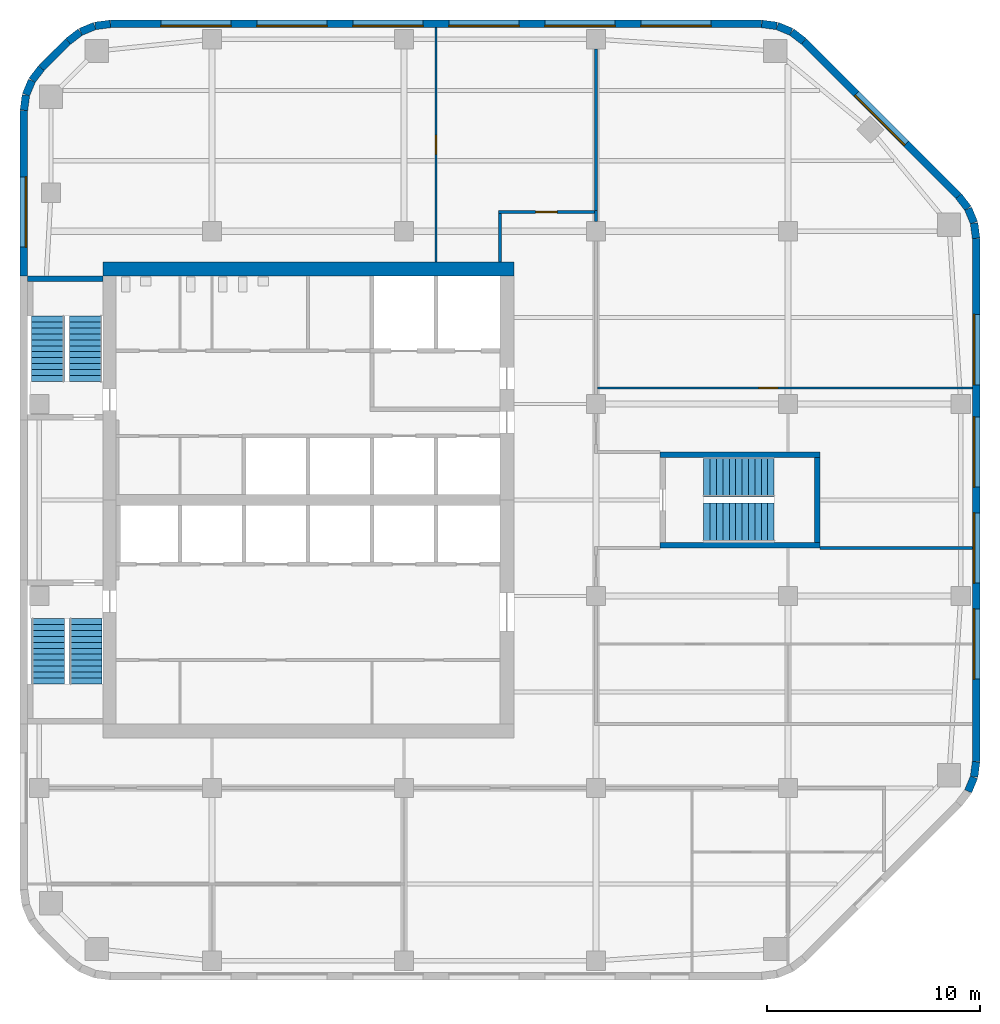
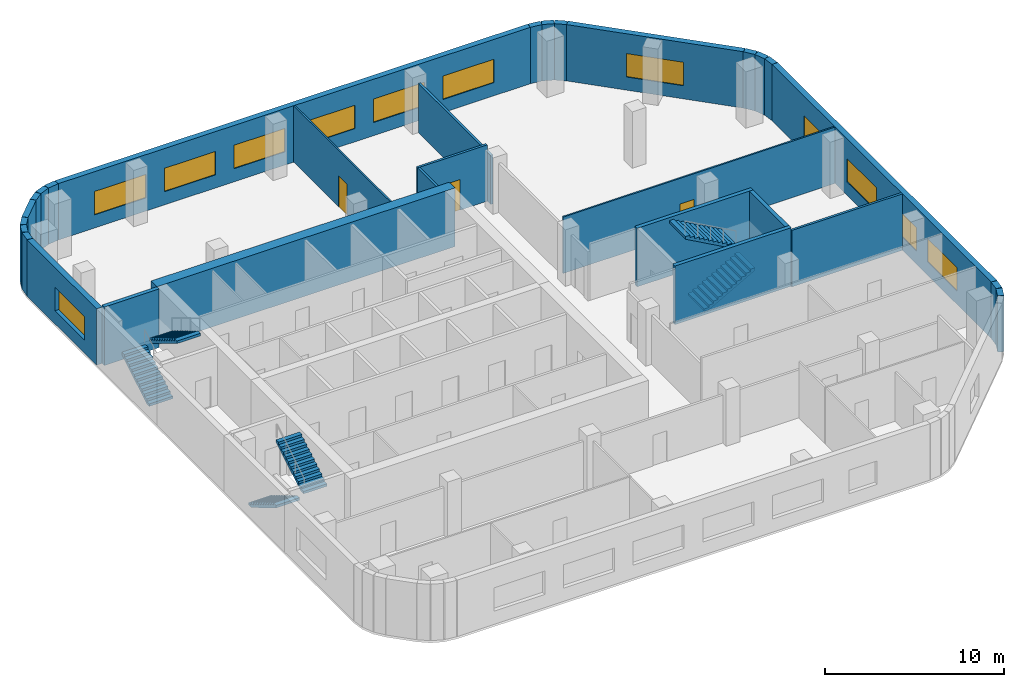
# One storey, part 5 of 7: 31 walls, 12 windows, 6 stair flights, 3 doors, 15 openings, 3 elements without a shape of their own.
"""IFC4 building model written with IfcOpenShell, lengths in metres."""

from ifc_helpers import new_model, si_unit, direction, frame, frame_2d, origin, place, context, subcontext, project, spatial, polyline, rectangle, outline, extrude, material, layer, layer_set, type_object, element, fill, aggregate, save


model = new_model("IFC4")

# Units and contexts
model_context = context("Model", 3, precision=1e-05, world=origin(), true_north=direction((0.0, 1.0)))
body_context = subcontext(model_context, "Body", "Model", "MODEL_VIEW")
ifc_project = project(units=[si_unit("LENGTHUNIT", "METRE"), si_unit("AREAUNIT", "SQUARE_METRE"), si_unit("VOLUMEUNIT", "CUBIC_METRE"), si_unit("PLANEANGLEUNIT", "RADIAN"), si_unit("MASSUNIT", "GRAM", prefix="KILO")], contexts=[model_context])

# Site, building, storey
site_placement = place(None, origin())
site = spatial("IfcSite", under=ifc_project, at=site_placement, CompositionType="ELEMENT")
building_placement = place(site_placement, origin())
building = spatial("IfcBuilding", under=site, at=building_placement, Name="Cinnabar Reach Civic Tower", CompositionType="ELEMENT")
storey_placement = place(building_placement, frame((0.0, 0.0, 169.0)))
storey = spatial("IfcBuildingStorey", under=building, at=storey_placement, Name="L40", CompositionType="ELEMENT", Elevation=169.0)

# Walls
ifc_material_1 = material(Name="Facing brick with insulated backing", Category="masonry")
ifc_layer_1 = layer(ifc_material_1, 0.36)
ifc_layer_set_1 = layer_set([ifc_layer_1], Name="Brick corner wall")
wall_type_1 = type_object("IfcWallType", Name="Brick corner wall", PredefinedType="STANDARD", material=ifc_layer_set_1)
for number, where, z_axis, x_axis, name in (
    (1, (44.4452, 17.8439, 0.0), (0.0, 0.0, 1.0), (0.382702709855, 0.923871547278, 0.0), "Brick corner wall"),
    (2, (44.7239, 18.5244, 0.0), (0.0, 0.0, 1.0), (0.13055608231, 0.99144092581, 0.0), "Brick corner wall"),
    (3, (44.817, 43.7686, 0.0), (0.0, 0.0, 1.0), (-0.13055608231, 0.99144092581, 0.0), "Brick corner wall"),
    (4, (44.7181, 44.4973, 0.0), (0.0, 0.0, 1.0), (-0.382702709855, 0.923871547278, 0.0), "Brick corner wall"),
):
    element("IfcWall", number, at=place(storey_placement, frame(where, z_axis=z_axis, x_axis=x_axis)), inside=storey, type_object=wall_type_1, Name=name, PredefinedType="STANDARD", context=body_context, shape_type="SweptSolid", body=[
        extrude(rectangle(XDim=0.7131, YDim=0.36, at=frame_2d((0.3565, 0.0))), origin(), (0.0, 0.0, 1.0), 3.85),
    ])
for number, where, z_axis, x_axis, name in (
    (5, (44.434, 45.1755, 0.0), (0.0, 0.0, 1.0), (-0.608802368033, 0.793321924995, 0.0), "Brick corner wall"),
    (6, (36.7413, 52.9998, 0.0), (0.0, 0.0, 1.0), (-0.793321924995, 0.608802368033, 0.0), "Brick corner wall"),
):
    element("IfcWall", number, at=place(storey_placement, frame(where, z_axis=z_axis, x_axis=x_axis)), inside=storey, type_object=wall_type_1, Name=name, PredefinedType="STANDARD", context=body_context, shape_type="SweptSolid", body=[
        extrude(rectangle(XDim=0.7132, YDim=0.36, at=frame_2d((0.3566, 0.0))), origin(), (0.0, 0.0, 1.0), 3.85),
    ])
for number, where, z_axis, x_axis, name in (
    (7, (36.1561, 53.4452, 0.0), (0.0, 0.0, 1.0), (-0.923871547278, 0.382702709855, 0.0), "Brick corner wall"),
    (8, (35.4756, 53.7239, 0.0), (0.0, 0.0, 1.0), (-0.99144092581, 0.13055608231, 0.0), "Brick corner wall"),
    (9, (4.2314, 53.817, 0.0), (0.0, 0.0, 1.0), (-0.99144092581, -0.13055608231, 0.0), "Brick corner wall"),
    (10, (3.5027, 53.7181, 0.0), (0.0, 0.0, 1.0), (-0.923871547278, -0.382702709855, 0.0), "Brick corner wall"),
):
    element("IfcWall", number, at=place(storey_placement, frame(where, z_axis=z_axis, x_axis=x_axis)), inside=storey, type_object=wall_type_1, Name=name, PredefinedType="STANDARD", context=body_context, shape_type="SweptSolid", body=[
        extrude(rectangle(XDim=0.7131, YDim=0.36, at=frame_2d((0.3565, 0.0))), origin(), (0.0, 0.0, 1.0), 3.85),
    ])
for number, where, z_axis, x_axis, name in (
    (11, (2.8245, 53.434, 0.0), (0.0, 0.0, 1.0), (-0.793321924995, -0.608802368033, 0.0), "Brick corner wall"),
    (12, (1.0002, 51.7413, 0.0), (0.0, 0.0, 1.0), (-0.608802368033, -0.793321924995, 0.0), "Brick corner wall"),
):
    element("IfcWall", number, at=place(storey_placement, frame(where, z_axis=z_axis, x_axis=x_axis)), inside=storey, type_object=wall_type_1, Name=name, PredefinedType="STANDARD", context=body_context, shape_type="SweptSolid", body=[
        extrude(rectangle(XDim=0.7132, YDim=0.36, at=frame_2d((0.3566, 0.0))), origin(), (0.0, 0.0, 1.0), 3.85),
    ])
for number, where, z_axis, x_axis, name in (
    (13, (0.5548, 51.1561, 0.0), (0.0, 0.0, 1.0), (-0.382702709855, -0.923871547278, 0.0), "Brick corner wall"),
    (14, (0.2761, 50.4756, 0.0), (0.0, 0.0, 1.0), (-0.13055608231, -0.99144092581, 0.0), "Brick corner wall"),
):
    element("IfcWall", number, at=place(storey_placement, frame(where, z_axis=z_axis, x_axis=x_axis)), inside=storey, type_object=wall_type_1, Name=name, PredefinedType="STANDARD", context=body_context, shape_type="SweptSolid", body=[
        extrude(rectangle(XDim=0.7131, YDim=0.36, at=frame_2d((0.3565, 0.0))), origin(), (0.0, 0.0, 1.0), 3.85),
    ])

# Wall, openings, windows
ifc_layer_2 = layer(ifc_material_1, 0.36)
ifc_layer_set_2 = layer_set([ifc_layer_2], Name="Brick pier and spandrel wall")
wall_type_2 = type_object("IfcWallType", Name="Brick pier and spandrel wall", PredefinedType="STANDARD", material=ifc_layer_set_2)
wall_1_placement = place(storey_placement, frame((44.82, 19.2426, 0.0), z_axis=(0.0, 0.0, 1.0), x_axis=(0.0, 1.0, 0.0)))
wall_1 = element("IfcWall", 15, at=wall_1_placement, inside=storey, type_object=wall_type_2, Name="Brick facade wall", PredefinedType="STANDARD", context=body_context, shape_type="SweptSolid", body=[
    extrude(rectangle(XDim=24.5148, YDim=0.36, at=frame_2d((12.2574, 0.0))), origin(), (0.0, 0.0, 1.0), 3.85),
])
opening_1_placement = place(wall_1_placement, frame((3.8574, 0.0, 0.9)))
opening_1 = element("IfcOpeningElement", 16, at=opening_1_placement, cuts=wall_1, Name="Opening W1828", PredefinedType="OPENING", context=body_context, shape_type="SweptSolid", body=[
    extrude(rectangle(XDim=3.3, YDim=1.6, at=frame_2d((1.65, 0.8))), frame((0.0, 0.19, 0.0), z_axis=(0.0, -1.0, 0.0), x_axis=(1.0, 0.0, 0.0)), (0.0, 0.0, 1.0), 0.38),
])
opening_2_placement = place(wall_1_placement, frame((8.3574, 0.0, 0.9)))
opening_2 = element("IfcOpeningElement", 17, at=opening_2_placement, cuts=wall_1, Name="Opening W1829", PredefinedType="OPENING", context=body_context, shape_type="SweptSolid", body=[
    extrude(rectangle(XDim=3.3, YDim=1.6, at=frame_2d((1.65, 0.8))), frame((0.0, 0.19, 0.0), z_axis=(0.0, -1.0, 0.0), x_axis=(1.0, 0.0, 0.0)), (0.0, 0.0, 1.0), 0.38),
])
opening_3_placement = place(wall_1_placement, frame((12.8574, 0.0, 0.9)))
opening_3 = element("IfcOpeningElement", 18, at=opening_3_placement, cuts=wall_1, Name="Opening W1830", PredefinedType="OPENING", context=body_context, shape_type="SweptSolid", body=[
    extrude(rectangle(XDim=3.3, YDim=1.6, at=frame_2d((1.65, 0.8))), frame((0.0, 0.19, 0.0), z_axis=(0.0, -1.0, 0.0), x_axis=(1.0, 0.0, 0.0)), (0.0, 0.0, 1.0), 0.38),
])
opening_4_placement = place(wall_1_placement, frame((17.6574, 0.0, 0.9)))
opening_4 = element("IfcOpeningElement", 19, at=opening_4_placement, cuts=wall_1, Name="Opening W1831", PredefinedType="OPENING", context=body_context, shape_type="SweptSolid", body=[
    extrude(rectangle(XDim=3.3, YDim=1.6, at=frame_2d((1.65, 0.8))), frame((0.0, 0.19, 0.0), z_axis=(0.0, -1.0, 0.0), x_axis=(1.0, 0.0, 0.0)), (0.0, 0.0, 1.0), 0.38),
])
ifc_material_2 = material(Name="Clear double glazing in aluminium frame", Category="aluminium")
window_type = type_object("IfcWindowType", Name="Deep-set window A", PartitioningType="SINGLE_PANEL", PredefinedType="WINDOW", material=ifc_material_2)
window_1_placement = place(opening_1_placement, origin())
window_1 = element("IfcWindow", 20, at=window_1_placement, inside=storey, type_object=window_type, Name="Window east face", OverallHeight=1.6, OverallWidth=3.3, PartitioningType="SINGLE_PANEL", PredefinedType="WINDOW", context=body_context, shape_type="SweptSolid", body=[
    extrude(rectangle(XDim=3.3, YDim=1.6, at=frame_2d((1.65, 0.8))), frame((0.0, 0.13, 0.0), z_axis=(0.0, -1.0, 0.0), x_axis=(1.0, 0.0, 0.0)), (0.0, 0.0, 1.0), 0.06),
])
fill(opening_1, window_1)
window_2_placement = place(opening_2_placement, origin())
window_2 = element("IfcWindow", 21, at=window_2_placement, inside=storey, type_object=window_type, Name="Window east face", OverallHeight=1.6, OverallWidth=3.3, PartitioningType="SINGLE_PANEL", PredefinedType="WINDOW", context=body_context, shape_type="SweptSolid", body=[
    extrude(rectangle(XDim=3.3, YDim=1.6, at=frame_2d((1.65, 0.8))), frame((0.0, 0.13, 0.0), z_axis=(0.0, -1.0, 0.0), x_axis=(1.0, 0.0, 0.0)), (0.0, 0.0, 1.0), 0.06),
])
fill(opening_2, window_2)
window_3_placement = place(opening_3_placement, origin())
window_3 = element("IfcWindow", 22, at=window_3_placement, inside=storey, type_object=window_type, Name="Window east face", OverallHeight=1.6, OverallWidth=3.3, PartitioningType="SINGLE_PANEL", PredefinedType="WINDOW", context=body_context, shape_type="SweptSolid", body=[
    extrude(rectangle(XDim=3.3, YDim=1.6, at=frame_2d((1.65, 0.8))), frame((0.0, 0.13, 0.0), z_axis=(0.0, -1.0, 0.0), x_axis=(1.0, 0.0, 0.0)), (0.0, 0.0, 1.0), 0.06),
])
fill(opening_3, window_3)
window_4_placement = place(opening_4_placement, origin())
window_4 = element("IfcWindow", 23, at=window_4_placement, inside=storey, type_object=window_type, Name="Window east face", OverallHeight=1.6, OverallWidth=3.3, PartitioningType="SINGLE_PANEL", PredefinedType="WINDOW", context=body_context, shape_type="SweptSolid", body=[
    extrude(rectangle(XDim=3.3, YDim=1.6, at=frame_2d((1.65, 0.8))), frame((0.0, 0.13, 0.0), z_axis=(0.0, -1.0, 0.0), x_axis=(1.0, 0.0, 0.0)), (0.0, 0.0, 1.0), 0.06),
])
fill(opening_4, window_4)

# Wall, opening, window
wall_2_placement = place(storey_placement, frame((43.994, 45.7514, 0.0), z_axis=(0.0, 0.0, 1.0), x_axis=(-0.707106781187, 0.707106781187, 0.0)))
wall_2 = element("IfcWall", 24, at=wall_2_placement, inside=storey, type_object=wall_type_2, Name="Brick facade wall", PredefinedType="STANDARD", context=body_context, shape_type="SweptSolid", body=[
    extrude(rectangle(XDim=10.2426, YDim=0.36, at=frame_2d((5.1213, 0.0))), origin(), (0.0, 0.0, 1.0), 3.85),
])
opening_5_placement = place(wall_2_placement, frame((3.4713, 0.0, 0.9)))
opening_5 = element("IfcOpeningElement", 25, at=opening_5_placement, cuts=wall_2, Name="Opening W1832", PredefinedType="OPENING", context=body_context, shape_type="SweptSolid", body=[
    extrude(rectangle(XDim=3.3, YDim=1.6, at=frame_2d((1.65, 0.8))), frame((0.0, 0.19, 0.0), z_axis=(0.0, -1.0, 0.0), x_axis=(1.0, 0.0, 0.0)), (0.0, 0.0, 1.0), 0.38),
])
window_5_placement = place(opening_5_placement, origin())
window_5 = element("IfcWindow", 26, at=window_5_placement, inside=storey, type_object=window_type, Name="Window northeast face", OverallHeight=1.6, OverallWidth=3.3, PartitioningType="SINGLE_PANEL", PredefinedType="WINDOW", context=body_context, shape_type="SweptSolid", body=[
    extrude(rectangle(XDim=3.3, YDim=1.6, at=frame_2d((1.65, 0.8))), frame((0.0, 0.13, 0.0), z_axis=(0.0, -1.0, 0.0), x_axis=(1.0, 0.0, 0.0)), (0.0, 0.0, 1.0), 0.06),
])
fill(opening_5, window_5)

# Wall, openings, windows
wall_3_placement = place(storey_placement, frame((34.7574, 53.82, 0.0), z_axis=(0.0, 0.0, 1.0), x_axis=(-1.0, 0.0, 0.0)))
wall_3 = element("IfcWall", 27, at=wall_3_placement, inside=storey, type_object=wall_type_2, Name="Brick facade wall", PredefinedType="STANDARD", context=body_context, shape_type="SweptSolid", body=[
    extrude(rectangle(XDim=30.5148, YDim=0.36, at=frame_2d((15.2574, 0.0))), origin(), (0.0, 0.0, 1.0), 3.85),
])
opening_6_placement = place(wall_3_placement, frame((2.3574, 0.0, 0.9)))
opening_6 = element("IfcOpeningElement", 28, at=opening_6_placement, cuts=wall_3, Name="Opening W1833", PredefinedType="OPENING", context=body_context, shape_type="SweptSolid", body=[
    extrude(rectangle(XDim=3.3, YDim=1.6, at=frame_2d((1.65, 0.8))), frame((0.0, 0.19, 0.0), z_axis=(0.0, -1.0, 0.0), x_axis=(1.0, 0.0, 0.0)), (0.0, 0.0, 1.0), 0.38),
])
opening_7_placement = place(wall_3_placement, frame((6.8574, 0.0, 0.9)))
opening_7 = element("IfcOpeningElement", 29, at=opening_7_placement, cuts=wall_3, Name="Opening W1834", PredefinedType="OPENING", context=body_context, shape_type="SweptSolid", body=[
    extrude(rectangle(XDim=3.3, YDim=1.6, at=frame_2d((1.65, 0.8))), frame((0.0, 0.19, 0.0), z_axis=(0.0, -1.0, 0.0), x_axis=(1.0, 0.0, 0.0)), (0.0, 0.0, 1.0), 0.38),
])
opening_8_placement = place(wall_3_placement, frame((11.3574, 0.0, 0.9)))
opening_8 = element("IfcOpeningElement", 30, at=opening_8_placement, cuts=wall_3, Name="Opening W1835", PredefinedType="OPENING", context=body_context, shape_type="SweptSolid", body=[
    extrude(rectangle(XDim=3.3, YDim=1.6, at=frame_2d((1.65, 0.8))), frame((0.0, 0.19, 0.0), z_axis=(0.0, -1.0, 0.0), x_axis=(1.0, 0.0, 0.0)), (0.0, 0.0, 1.0), 0.38),
])
opening_9_placement = place(wall_3_placement, frame((15.8574, 0.0, 0.9)))
opening_9 = element("IfcOpeningElement", 31, at=opening_9_placement, cuts=wall_3, Name="Opening W1836", PredefinedType="OPENING", context=body_context, shape_type="SweptSolid", body=[
    extrude(rectangle(XDim=3.3, YDim=1.6, at=frame_2d((1.65, 0.8))), frame((0.0, 0.19, 0.0), z_axis=(0.0, -1.0, 0.0), x_axis=(1.0, 0.0, 0.0)), (0.0, 0.0, 1.0), 0.38),
])
opening_10_placement = place(wall_3_placement, frame((20.3574, 0.0, 0.9)))
opening_10 = element("IfcOpeningElement", 32, at=opening_10_placement, cuts=wall_3, Name="Opening W1837", PredefinedType="OPENING", context=body_context, shape_type="SweptSolid", body=[
    extrude(rectangle(XDim=3.3, YDim=1.6, at=frame_2d((1.65, 0.8))), frame((0.0, 0.19, 0.0), z_axis=(0.0, -1.0, 0.0), x_axis=(1.0, 0.0, 0.0)), (0.0, 0.0, 1.0), 0.38),
])
opening_11_placement = place(wall_3_placement, frame((24.8574, 0.0, 0.9)))
opening_11 = element("IfcOpeningElement", 33, at=opening_11_placement, cuts=wall_3, Name="Opening W1838", PredefinedType="OPENING", context=body_context, shape_type="SweptSolid", body=[
    extrude(rectangle(XDim=3.3, YDim=1.6, at=frame_2d((1.65, 0.8))), frame((0.0, 0.19, 0.0), z_axis=(0.0, -1.0, 0.0), x_axis=(1.0, 0.0, 0.0)), (0.0, 0.0, 1.0), 0.38),
])
window_6_placement = place(opening_6_placement, origin())
window_6 = element("IfcWindow", 34, at=window_6_placement, inside=storey, type_object=window_type, Name="Window north face", OverallHeight=1.6, OverallWidth=3.3, PartitioningType="SINGLE_PANEL", PredefinedType="WINDOW", context=body_context, shape_type="SweptSolid", body=[
    extrude(rectangle(XDim=3.3, YDim=1.6, at=frame_2d((1.65, 0.8))), frame((0.0, 0.13, 0.0), z_axis=(0.0, -1.0, 0.0), x_axis=(1.0, 0.0, 0.0)), (0.0, 0.0, 1.0), 0.06),
])
fill(opening_6, window_6)
window_7_placement = place(opening_7_placement, origin())
window_7 = element("IfcWindow", 35, at=window_7_placement, inside=storey, type_object=window_type, Name="Window north face", OverallHeight=1.6, OverallWidth=3.3, PartitioningType="SINGLE_PANEL", PredefinedType="WINDOW", context=body_context, shape_type="SweptSolid", body=[
    extrude(rectangle(XDim=3.3, YDim=1.6, at=frame_2d((1.65, 0.8))), frame((0.0, 0.13, 0.0), z_axis=(0.0, -1.0, 0.0), x_axis=(1.0, 0.0, 0.0)), (0.0, 0.0, 1.0), 0.06),
])
fill(opening_7, window_7)
window_8_placement = place(opening_8_placement, origin())
window_8 = element("IfcWindow", 36, at=window_8_placement, inside=storey, type_object=window_type, Name="Window north face", OverallHeight=1.6, OverallWidth=3.3, PartitioningType="SINGLE_PANEL", PredefinedType="WINDOW", context=body_context, shape_type="SweptSolid", body=[
    extrude(rectangle(XDim=3.3, YDim=1.6, at=frame_2d((1.65, 0.8))), frame((0.0, 0.13, 0.0), z_axis=(0.0, -1.0, 0.0), x_axis=(1.0, 0.0, 0.0)), (0.0, 0.0, 1.0), 0.06),
])
fill(opening_8, window_8)
window_9_placement = place(opening_9_placement, origin())
window_9 = element("IfcWindow", 37, at=window_9_placement, inside=storey, type_object=window_type, Name="Window north face", OverallHeight=1.6, OverallWidth=3.3, PartitioningType="SINGLE_PANEL", PredefinedType="WINDOW", context=body_context, shape_type="SweptSolid", body=[
    extrude(rectangle(XDim=3.3, YDim=1.6, at=frame_2d((1.65, 0.8))), frame((0.0, 0.13, 0.0), z_axis=(0.0, -1.0, 0.0), x_axis=(1.0, 0.0, 0.0)), (0.0, 0.0, 1.0), 0.06),
])
fill(opening_9, window_9)
window_10_placement = place(opening_10_placement, origin())
window_10 = element("IfcWindow", 38, at=window_10_placement, inside=storey, type_object=window_type, Name="Window north face", OverallHeight=1.6, OverallWidth=3.3, PartitioningType="SINGLE_PANEL", PredefinedType="WINDOW", context=body_context, shape_type="SweptSolid", body=[
    extrude(rectangle(XDim=3.3, YDim=1.6, at=frame_2d((1.65, 0.8))), frame((0.0, 0.13, 0.0), z_axis=(0.0, -1.0, 0.0), x_axis=(1.0, 0.0, 0.0)), (0.0, 0.0, 1.0), 0.06),
])
fill(opening_10, window_10)
window_11_placement = place(opening_11_placement, origin())
window_11 = element("IfcWindow", 39, at=window_11_placement, inside=storey, type_object=window_type, Name="Window north face", OverallHeight=1.6, OverallWidth=3.3, PartitioningType="SINGLE_PANEL", PredefinedType="WINDOW", context=body_context, shape_type="SweptSolid", body=[
    extrude(rectangle(XDim=3.3, YDim=1.6, at=frame_2d((1.65, 0.8))), frame((0.0, 0.13, 0.0), z_axis=(0.0, -1.0, 0.0), x_axis=(1.0, 0.0, 0.0)), (0.0, 0.0, 1.0), 0.06),
])
fill(opening_11, window_11)

# Wall
wall_4_placement = place(storey_placement, frame((2.2486, 52.994, 0.0), z_axis=(0.0, 0.0, 1.0), x_axis=(-0.707106781187, -0.707106781187, 0.0)))
element("IfcWall", 40, at=wall_4_placement, inside=storey, type_object=wall_type_2, Name="Brick facade wall", PredefinedType="STANDARD", context=body_context, shape_type="SweptSolid", body=[
    extrude(rectangle(XDim=1.7573, YDim=0.36, at=frame_2d((0.8787, 0.0))), origin(), (0.0, 0.0, 1.0), 3.85),
])

# Wall, opening, window
wall_5_placement = place(storey_placement, frame((0.18, 49.7574, 0.0), z_axis=(0.0, 0.0, 1.0), x_axis=(0.0, -1.0, 0.0)))
wall_5 = element("IfcWall", 41, at=wall_5_placement, inside=storey, type_object=wall_type_2, Name="Brick facade wall", PredefinedType="STANDARD", context=body_context, shape_type="SweptSolid", body=[
    extrude(rectangle(XDim=7.7574, YDim=0.36, at=frame_2d((3.8787, 0.0))), origin(), (0.0, 0.0, 1.0), 3.85),
])
opening_12_placement = place(wall_5_placement, frame((3.1074, 0.0, 0.9)))
opening_12 = element("IfcOpeningElement", 42, at=opening_12_placement, cuts=wall_5, Name="Opening W1839", PredefinedType="OPENING", context=body_context, shape_type="SweptSolid", body=[
    extrude(rectangle(XDim=3.3, YDim=1.6, at=frame_2d((1.65, 0.8))), frame((0.0, 0.19, 0.0), z_axis=(0.0, -1.0, 0.0), x_axis=(1.0, 0.0, 0.0)), (0.0, 0.0, 1.0), 0.38),
])
window_12_placement = place(opening_12_placement, origin())
window_12 = element("IfcWindow", 43, at=window_12_placement, inside=storey, type_object=window_type, Name="Window west face", OverallHeight=1.6, OverallWidth=3.3, PartitioningType="SINGLE_PANEL", PredefinedType="WINDOW", context=body_context, shape_type="SweptSolid", body=[
    extrude(rectangle(XDim=3.3, YDim=1.6, at=frame_2d((1.65, 0.8))), frame((0.0, 0.13, 0.0), z_axis=(0.0, -1.0, 0.0), x_axis=(1.0, 0.0, 0.0)), (0.0, 0.0, 1.0), 0.06),
])
fill(opening_12, window_12)

# Walls
ifc_material_3 = material(Name="Concrete C70", Category="concrete")
ifc_layer_3 = layer(ifc_material_3, 0.65)
ifc_layer_set_3 = layer_set([ifc_layer_3], Name="Core wall 650 EI 180")
wall_type_3 = type_object("IfcWallType", Name="Core wall 650 EI 180", PredefinedType="SOLIDWALL", material=ifc_layer_set_3)
wall_6_placement = place(storey_placement, frame((23.15, 42.325, 0.0), z_axis=(0.0, 0.0, 1.0), x_axis=(-1.0, 0.0, 0.0)))
element("IfcWall", 44, at=wall_6_placement, inside=storey, type_object=wall_type_3, Name="Core wall T1 L40 N", PredefinedType="SOLIDWALL", context=body_context, shape_type="SweptSolid", body=[
    extrude(rectangle(XDim=19.25, YDim=0.65, at=frame_2d((9.625, 0.0))), origin(), (0.0, 0.0, 1.0), 4.0),
])
ifc_material_4 = material(Name="Gypsum board on steel studs, double layer", Category="steel")
ifc_layer_4 = layer(ifc_material_4, 0.15)
ifc_layer_set_4 = layer_set([ifc_layer_4], Name="Corridor wall 150 T1")
wall_type_4 = type_object("IfcWallType", Name="Corridor wall 150 T1", PredefinedType="PARTITIONING", material=ifc_layer_set_4)
wall_7_placement = place(storey_placement, frame((27.0, 44.55, 0.0), z_axis=(0.0, 0.0, 1.0), x_axis=(0.0, 1.0, 0.0)))
element("IfcWall", 45, at=wall_7_placement, inside=storey, type_object=wall_type_4, Name="Corridor wall 28", PredefinedType="PARTITIONING", context=body_context, shape_type="SweptSolid", body=[
    extrude(rectangle(XDim=0.525, YDim=0.15, at=frame_2d((0.2625, 0.0))), origin(), (0.0, 0.0, 1.0), 3.362),
])

# Wall, opening, door
wall_8_placement = place(storey_placement, frame((22.425, 45.0, 0.0), z_axis=(0.0, 0.0, 1.0), x_axis=(1.0, 0.0, 0.0)))
wall_8 = element("IfcWall", 46, at=wall_8_placement, inside=storey, type_object=wall_type_4, Name="Corridor wall 32", PredefinedType="PARTITIONING", context=body_context, shape_type="SweptSolid", body=[
    extrude(rectangle(XDim=4.5, YDim=0.15, at=frame_2d((2.25, 0.0))), origin(), (0.0, 0.0, 1.0), 3.85),
])
opening_13_placement = place(wall_8_placement, frame((1.75, 0.0, 0.0)))
opening_13 = element("IfcOpeningElement", 47, at=opening_13_placement, cuts=wall_8, Name="Opening D4665", PredefinedType="OPENING", context=body_context, shape_type="SweptSolid", body=[
    extrude(rectangle(XDim=1.0, YDim=2.1, at=frame_2d((0.5, 1.05))), frame((0.0, 0.085, 0.0), z_axis=(0.0, -1.0, 0.0), x_axis=(1.0, 0.0, 0.0)), (0.0, 0.0, 1.0), 0.17),
])
ifc_material_5 = material(Name="Timber door leaf in steel frame", Category="steel")
door_type_1 = type_object("IfcDoorType", Name="Tenancy entrance door 1000 x 2100 T1", OperationType="SINGLE_SWING_LEFT", PredefinedType="DOOR", material=ifc_material_5)
door_1_placement = place(opening_13_placement, frame((1.0, 0.0, 0.0), z_axis=(0.0, 0.0, 1.0), x_axis=(-1.0, 0.0, 0.0)))
door_1 = element("IfcDoor", 48, at=door_1_placement, inside=storey, type_object=door_type_1, Name="Door D4665", OperationType="SINGLE_SWING_RIGHT", OverallHeight=2.1, OverallWidth=1.0, PredefinedType="DOOR", context=body_context, shape_type="SweptSolid", body=[
    extrude(rectangle(XDim=1.0, YDim=2.1, at=frame_2d((0.5, 1.05))), frame((0.0, 0.025, 0.0), z_axis=(0.0, -1.0, 0.0), x_axis=(1.0, 0.0, 0.0)), (0.0, 0.0, 1.0), 0.05),
])
fill(opening_13, door_1)

# Wall
wall_9_placement = place(storey_placement, frame((22.5, 42.65, 0.0), z_axis=(0.0, 0.0, 1.0), x_axis=(0.0, 1.0, 0.0)))
element("IfcWall", 49, at=wall_9_placement, inside=storey, type_object=wall_type_4, Name="Corridor wall 38", PredefinedType="PARTITIONING", context=body_context, shape_type="SweptSolid", body=[
    extrude(rectangle(XDim=2.275, YDim=0.15, at=frame_2d((1.1375, 0.0))), origin(), (0.0, 0.0, 1.0), 3.85),
])

# Wall, opening, door
ifc_material_6 = material(Name="Gypsum board on steel studs", Category="steel")
ifc_layer_5 = layer(ifc_material_6, 0.1)
ifc_layer_set_5 = layer_set([ifc_layer_5], Name="Partition wall 100 T1")
wall_type_5 = type_object("IfcWallType", Name="Partition wall 100 T1", PredefinedType="PARTITIONING", material=ifc_layer_set_5)
wall_10_placement = place(storey_placement, frame((27.075, 36.75, 0.0), z_axis=(0.0, 0.0, 1.0), x_axis=(1.0, 0.0, 0.0)))
wall_10 = element("IfcWall", 50, at=wall_10_placement, inside=storey, type_object=wall_type_5, Name="Partition wall 45", PredefinedType="PARTITIONING", context=body_context, shape_type="SweptSolid", body=[
    extrude(rectangle(XDim=17.565, YDim=0.1, at=frame_2d((8.7825, 0.0))), origin(), (0.0, 0.0, 1.0), 3.85),
])
opening_14_placement = place(wall_10_placement, frame((7.55, 0.0, 0.0)))
opening_14 = element("IfcOpeningElement", 51, at=opening_14_placement, cuts=wall_10, Name="Opening D4654", PredefinedType="OPENING", context=body_context, shape_type="SweptSolid", body=[
    extrude(rectangle(XDim=0.9, YDim=2.1, at=frame_2d((0.45, 1.05))), frame((0.0, 0.06, 0.0), z_axis=(0.0, -1.0, 0.0), x_axis=(1.0, 0.0, 0.0)), (0.0, 0.0, 1.0), 0.12),
])
door_type_2 = type_object("IfcDoorType", Name="Single swing door 900 x 2100 T1", OperationType="SINGLE_SWING_LEFT", PredefinedType="DOOR", material=ifc_material_5)
door_2_placement = place(opening_14_placement, frame((0.9, 0.0, 0.0), z_axis=(0.0, 0.0, 1.0), x_axis=(-1.0, 0.0, 0.0)))
door_2 = element("IfcDoor", 52, at=door_2_placement, inside=storey, type_object=door_type_2, Name="Door D4654", OperationType="SINGLE_SWING_LEFT", OverallHeight=2.1, OverallWidth=0.9, PredefinedType="DOOR", context=body_context, shape_type="SweptSolid", body=[
    extrude(rectangle(XDim=0.9, YDim=2.1, at=frame_2d((0.45, 1.05))), frame((0.0, 0.025, 0.0), z_axis=(0.0, -1.0, 0.0), x_axis=(1.0, 0.0, 0.0)), (0.0, 0.0, 1.0), 0.05),
])
fill(opening_14, door_2)

wall_11_placement = place(storey_placement, frame((19.5, 42.65, 0.0), z_axis=(0.0, 0.0, 1.0), x_axis=(0.0, 1.0, 0.0)))
wall_11 = element("IfcWall", 53, at=wall_11_placement, inside=storey, type_object=wall_type_5, Name="Partition wall 46", PredefinedType="PARTITIONING", context=body_context, shape_type="SweptSolid", body=[
    extrude(rectangle(XDim=10.99, YDim=0.1, at=frame_2d((5.495, 0.0))), origin(), (0.0, 0.0, 1.0), 3.85),
])
opening_15_placement = place(wall_11_placement, frame((5.05, 0.0, 0.0)))
opening_15 = element("IfcOpeningElement", 54, at=opening_15_placement, cuts=wall_11, Name="Opening D4666", PredefinedType="OPENING", context=body_context, shape_type="SweptSolid", body=[
    extrude(rectangle(XDim=0.9, YDim=2.1, at=frame_2d((0.45, 1.05))), frame((0.0, 0.06, 0.0), z_axis=(0.0, -1.0, 0.0), x_axis=(1.0, 0.0, 0.0)), (0.0, 0.0, 1.0), 0.12),
])
door_3_placement = place(opening_15_placement, origin())
door_3 = element("IfcDoor", 55, at=door_3_placement, inside=storey, type_object=door_type_2, Name="Door D4666", OperationType="SINGLE_SWING_LEFT", OverallHeight=2.1, OverallWidth=0.9, PredefinedType="DOOR", context=body_context, shape_type="SweptSolid", body=[
    extrude(rectangle(XDim=0.9, YDim=2.1, at=frame_2d((0.45, 1.05))), frame((0.0, 0.025, 0.0), z_axis=(0.0, -1.0, 0.0), x_axis=(1.0, 0.0, 0.0)), (0.0, 0.0, 1.0), 0.05),
])
fill(opening_15, door_3)

# Walls
ifc_material_7 = material(Name="Concrete C60", Category="concrete")
ifc_layer_6 = layer(ifc_material_7, 0.25)
ifc_layer_set_6 = layer_set([ifc_layer_6], Name="Stair shaft wall 250 EI 120")
wall_type_6 = type_object("IfcWallType", Name="Stair shaft wall 250 EI 120", PredefinedType="SOLIDWALL", material=ifc_layer_set_6)
wall_12_placement = place(storey_placement, frame((3.9, 41.875, 0.0), z_axis=(0.0, 0.0, 1.0), x_axis=(-1.0, 0.0, 0.0)))
element("IfcWall", 56, at=wall_12_placement, inside=storey, type_object=wall_type_6, Name="Stair shaft wall T1-S2 L40", PredefinedType="SOLIDWALL", context=body_context, shape_type="SweptSolid", body=[
    extrude(rectangle(XDim=3.54, YDim=0.25, at=frame_2d((1.77, 0.0))), origin(), (0.0, 0.0, 1.0), 4.0),
])
for number, where, z_axis, x_axis, name in (
    (57, (30.0, 29.375, 0.0), (0.0, 0.0, 1.0), (1.0, 0.0, 0.0), "Stair shaft wall T1-S3 L40"),
    (58, (37.5, 33.625, 0.0), (0.0, 0.0, 1.0), (-1.0, 0.0, 0.0), "Stair shaft wall T1-S3 L40"),
):
    element("IfcWall", number, at=place(storey_placement, frame(where, z_axis=z_axis, x_axis=x_axis)), inside=storey, type_object=wall_type_6, Name=name, PredefinedType="SOLIDWALL", context=body_context, shape_type="SweptSolid", body=[
        extrude(rectangle(XDim=7.5, YDim=0.25, at=frame_2d((3.75, 0.0))), origin(), (0.0, 0.0, 1.0), 4.0),
    ])
wall_13_placement = place(storey_placement, frame((37.375, 29.5, 0.0), z_axis=(0.0, 0.0, 1.0), x_axis=(0.0, 1.0, 0.0)))
element("IfcWall", 59, at=wall_13_placement, inside=storey, type_object=wall_type_6, Name="Stair shaft wall T1-S3 L40", PredefinedType="SOLIDWALL", context=body_context, shape_type="SweptSolid", body=[
    extrude(rectangle(XDim=4.0, YDim=0.25, at=frame_2d((2.0, 0.0))), origin(), (0.0, 0.0, 1.0), 4.0),
])
ifc_layer_7 = layer(ifc_material_4, 0.15)
ifc_layer_set_7 = layer_set([ifc_layer_7], Name="Tenancy separating wall 150 T1")
wall_type_7 = type_object("IfcWallType", Name="Tenancy separating wall 150 T1", PredefinedType="PARTITIONING", material=ifc_layer_set_7)
wall_14_placement = place(storey_placement, frame((27.0, 45.075, 0.0), z_axis=(0.0, 0.0, 1.0), x_axis=(0.0, 1.0, 0.0)))
element("IfcWall", 60, at=wall_14_placement, inside=storey, type_object=wall_type_7, Name="Tenancy separating wall 41", PredefinedType="PARTITIONING", context=body_context, shape_type="SweptSolid", body=[
    extrude(rectangle(XDim=7.575, YDim=0.15, at=frame_2d((3.7875, 0.0))), origin(), (0.0, 0.0, 1.0), 3.362),
])
wall_15_placement = place(storey_placement, frame((37.5, 29.25, 0.0), z_axis=(0.0, 0.0, 1.0), x_axis=(1.0, 0.0, 0.0)))
element("IfcWall", 61, at=wall_15_placement, inside=storey, type_object=wall_type_7, Name="Tenancy separating wall 42", PredefinedType="PARTITIONING", context=body_context, shape_type="SweptSolid", body=[
    extrude(rectangle(XDim=7.14, YDim=0.15, at=frame_2d((3.57, 0.0))), origin(), (0.0, 0.0, 1.0), 3.85),
])

# Stair, stair flights
ifc_material_8 = material(Name="Concrete C40/50", Category="concrete")
stair_type = type_object("IfcStairType", Name="T1 Exit stair, half-turn", PredefinedType="HALF_TURN_STAIR", material=ifc_material_8)
stair_1_placement = place(storey_placement, origin())
stair_1 = element("IfcStair", 62, at=stair_1_placement, inside=storey, type_object=stair_type, Name="Stair T1-S1", PredefinedType="HALF_TURN_STAIR")
stair_flight_type = type_object("IfcStairFlightType", Name="T1 Stair flight, concrete", PredefinedType="STRAIGHT", material=ifc_material_8)
stair_flight_1_placement = place(storey_placement, frame((1.3125, 25.95, 0.0), z_axis=(0.0, 0.0, 1.0), x_axis=(0.0, -1.0, 0.0)))
stair_flight_1 = element("IfcStairFlight", 63, at=stair_flight_1_placement, type_object=stair_flight_type, Name="T1-S1 flight 1", NumberOfRisers=12, NumberOfTreads=11, PredefinedType="STRAIGHT", RiserHeight=0.166666667, TreadLength=0.28, context=body_context, shape_type="SweptSolid", body=[
    extrude(outline(polyline([(0.0, 0.0), (0.0, 0.1667), (0.28, 0.1667), (0.28, 0.3333), (0.56, 0.3333), (0.56, 0.5), (0.84, 0.5), (0.84, 0.6667), (1.12, 0.6667), (1.12, 0.8333), (1.4, 0.8333), (1.4, 1.0), (1.68, 1.0), (1.68, 1.1667), (1.96, 1.1667), (1.96, 1.3333), (2.24, 1.3333), (2.24, 1.5), (2.52, 1.5), (2.52, 1.6667), (2.8, 1.6667), (2.8, 1.8333), (3.08, 1.8333), (3.08, 2.0), (3.08, 1.6588), (0.2933, 0.0), (0.0, 0.0)])), frame((0.0, 0.7625, 0.0), z_axis=(0.0, -1.0, 0.0), x_axis=(1.0, 0.0, 0.0)), (0.0, 0.0, 1.0), 1.525),
])
stair_flight_2_placement = place(storey_placement, frame((3.0875, 22.87, 2.0), z_axis=(0.0, 0.0, 1.0), x_axis=(0.0, 1.0, 0.0)))
stair_flight_2 = element("IfcStairFlight", 64, at=stair_flight_2_placement, type_object=stair_flight_type, Name="T1-S1 flight 2", NumberOfRisers=12, NumberOfTreads=11, PredefinedType="STRAIGHT", RiserHeight=0.166666667, TreadLength=0.28, context=body_context, shape_type="SweptSolid", body=[
    extrude(outline(polyline([(0.0, 0.0), (0.0, 0.1667), (0.28, 0.1667), (0.28, 0.3333), (0.56, 0.3333), (0.56, 0.5), (0.84, 0.5), (0.84, 0.6667), (1.12, 0.6667), (1.12, 0.8333), (1.4, 0.8333), (1.4, 1.0), (1.68, 1.0), (1.68, 1.1667), (1.96, 1.1667), (1.96, 1.3333), (2.24, 1.3333), (2.24, 1.5), (2.52, 1.5), (2.52, 1.6667), (2.8, 1.6667), (2.8, 1.8333), (3.08, 1.8333), (3.08, 2.0), (3.08, 1.6588), (0.2933, 0.0), (0.0, 0.0)])), frame((0.0, 0.7625, 0.0), z_axis=(0.0, -1.0, 0.0), x_axis=(1.0, 0.0, 0.0)), (0.0, 0.0, 1.0), 1.525),
])
aggregate(stair_1, [stair_flight_1, stair_flight_2])

stair_2_placement = place(storey_placement, origin())
stair_2 = element("IfcStair", 65, at=stair_2_placement, inside=storey, type_object=stair_type, Name="Stair T1-S2", PredefinedType="HALF_TURN_STAIR")
stair_flight_3_placement = place(storey_placement, frame((1.3125, 37.05, 0.0), z_axis=(0.0, 0.0, 1.0), x_axis=(0.0, 1.0, 0.0)))
stair_flight_3 = element("IfcStairFlight", 66, at=stair_flight_3_placement, type_object=stair_flight_type, Name="T1-S2 flight 1", NumberOfRisers=12, NumberOfTreads=11, PredefinedType="STRAIGHT", RiserHeight=0.166666667, TreadLength=0.28, context=body_context, shape_type="SweptSolid", body=[
    extrude(outline(polyline([(0.0, 0.0), (0.0, 0.1667), (0.28, 0.1667), (0.28, 0.3333), (0.56, 0.3333), (0.56, 0.5), (0.84, 0.5), (0.84, 0.6667), (1.12, 0.6667), (1.12, 0.8333), (1.4, 0.8333), (1.4, 1.0), (1.68, 1.0), (1.68, 1.1667), (1.96, 1.1667), (1.96, 1.3333), (2.24, 1.3333), (2.24, 1.5), (2.52, 1.5), (2.52, 1.6667), (2.8, 1.6667), (2.8, 1.8333), (3.08, 1.8333), (3.08, 2.0), (3.08, 1.6588), (0.2933, 0.0), (0.0, 0.0)])), frame((0.0, 0.7625, 0.0), z_axis=(0.0, -1.0, 0.0), x_axis=(1.0, 0.0, 0.0)), (0.0, 0.0, 1.0), 1.525),
])
stair_flight_4_placement = place(storey_placement, frame((3.0875, 40.13, 2.0), z_axis=(0.0, 0.0, 1.0), x_axis=(0.0, -1.0, 0.0)))
stair_flight_4 = element("IfcStairFlight", 67, at=stair_flight_4_placement, type_object=stair_flight_type, Name="T1-S2 flight 2", NumberOfRisers=12, NumberOfTreads=11, PredefinedType="STRAIGHT", RiserHeight=0.166666667, TreadLength=0.28, context=body_context, shape_type="SweptSolid", body=[
    extrude(outline(polyline([(0.0, 0.0), (0.0, 0.1667), (0.28, 0.1667), (0.28, 0.3333), (0.56, 0.3333), (0.56, 0.5), (0.84, 0.5), (0.84, 0.6667), (1.12, 0.6667), (1.12, 0.8333), (1.4, 0.8333), (1.4, 1.0), (1.68, 1.0), (1.68, 1.1667), (1.96, 1.1667), (1.96, 1.3333), (2.24, 1.3333), (2.24, 1.5), (2.52, 1.5), (2.52, 1.6667), (2.8, 1.6667), (2.8, 1.8333), (3.08, 1.8333), (3.08, 2.0), (3.08, 1.6588), (0.2933, 0.0), (0.0, 0.0)])), frame((0.0, 0.7625, 0.0), z_axis=(0.0, -1.0, 0.0), x_axis=(1.0, 0.0, 0.0)), (0.0, 0.0, 1.0), 1.525),
])
aggregate(stair_2, [stair_flight_3, stair_flight_4])

stair_3_placement = place(storey_placement, origin())
stair_3 = element("IfcStair", 68, at=stair_3_placement, inside=storey, type_object=stair_type, Name="Stair T1-S3", PredefinedType="HALF_TURN_STAIR")
stair_flight_5_placement = place(storey_placement, frame((32.05, 30.45, 0.0), z_axis=(0.0, 0.0, 1.0), x_axis=(1.0, 0.0, 0.0)))
stair_flight_5 = element("IfcStairFlight", 69, at=stair_flight_5_placement, type_object=stair_flight_type, Name="T1-S3 flight 1", NumberOfRisers=12, NumberOfTreads=11, PredefinedType="STRAIGHT", RiserHeight=0.166666667, TreadLength=0.3, context=body_context, shape_type="SweptSolid", body=[
    extrude(outline(polyline([(0.0, 0.0), (0.0, 0.1667), (0.3, 0.1667), (0.3, 0.3333), (0.6, 0.3333), (0.6, 0.5), (0.9, 0.5), (0.9, 0.6667), (1.2, 0.6667), (1.2, 0.8333), (1.5, 0.8333), (1.5, 1.0), (1.8, 1.0), (1.8, 1.1667), (2.1, 1.1667), (2.1, 1.3333), (2.4, 1.3333), (2.4, 1.5), (2.7, 1.5), (2.7, 1.6667), (3.0, 1.6667), (3.0, 1.8333), (3.3, 1.8333), (3.3, 2.0), (3.3, 1.6617), (0.3089, 0.0), (0.0, 0.0)])), frame((0.0, 0.9, 0.0), z_axis=(0.0, -1.0, 0.0), x_axis=(1.0, 0.0, 0.0)), (0.0, 0.0, 1.0), 1.8),
])
stair_flight_6_placement = place(storey_placement, frame((35.35, 32.55, 2.0), z_axis=(0.0, 0.0, 1.0), x_axis=(-1.0, 0.0, 0.0)))
stair_flight_6 = element("IfcStairFlight", 70, at=stair_flight_6_placement, type_object=stair_flight_type, Name="T1-S3 flight 2", NumberOfRisers=12, NumberOfTreads=11, PredefinedType="STRAIGHT", RiserHeight=0.166666667, TreadLength=0.3, context=body_context, shape_type="SweptSolid", body=[
    extrude(outline(polyline([(0.0, 0.0), (0.0, 0.1667), (0.3, 0.1667), (0.3, 0.3333), (0.6, 0.3333), (0.6, 0.5), (0.9, 0.5), (0.9, 0.6667), (1.2, 0.6667), (1.2, 0.8333), (1.5, 0.8333), (1.5, 1.0), (1.8, 1.0), (1.8, 1.1667), (2.1, 1.1667), (2.1, 1.3333), (2.4, 1.3333), (2.4, 1.5), (2.7, 1.5), (2.7, 1.6667), (3.0, 1.6667), (3.0, 1.8333), (3.3, 1.8333), (3.3, 2.0), (3.3, 1.6617), (0.3089, 0.0), (0.0, 0.0)])), frame((0.0, 0.9, 0.0), z_axis=(0.0, -1.0, 0.0), x_axis=(1.0, 0.0, 0.0)), (0.0, 0.0, 1.0), 1.8),
])
aggregate(stair_3, [stair_flight_5, stair_flight_6])

save(model, "model.ifc")
